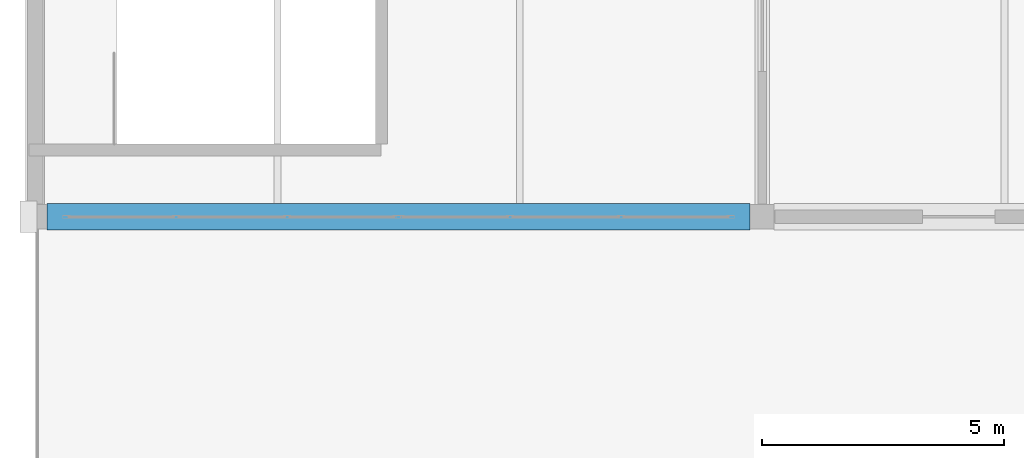
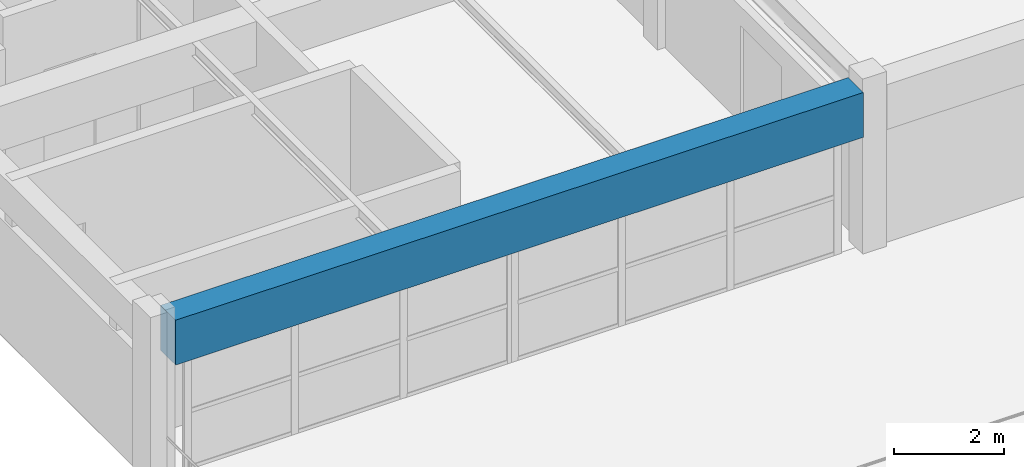
# One storey, part 3 of 82: 1 beam.
"""IFC4 building model written with IfcOpenShell, lengths in metres."""

from ifc_helpers import new_model, si_unit, direction, frame, origin, origin_2d, place, context, subcontext, project, spatial, rectangle, extrude, material, material_profile, profile_set, type_object, element, save


model = new_model("IFC4")

# Units and contexts
model_context = context("Model", 3, precision=1e-05, world=origin(), true_north=direction((0.0, 1.0)))
body_context = subcontext(model_context, "Body", "Model", "MODEL_VIEW")
ifc_project = project(units=[si_unit("LENGTHUNIT", "METRE"), si_unit("AREAUNIT", "SQUARE_METRE"), si_unit("VOLUMEUNIT", "CUBIC_METRE"), si_unit("PLANEANGLEUNIT", "RADIAN"), si_unit("MASSUNIT", "GRAM", prefix="KILO")], contexts=[model_context])

# Site, building, storey
site_placement = place(None, origin())
site = spatial("IfcSite", under=ifc_project, at=site_placement, CompositionType="ELEMENT")
building_placement = place(site_placement, origin())
building = spatial("IfcBuilding", under=site, at=building_placement, Name="Qasida Concert Hall", CompositionType="ELEMENT")
storey_placement = place(building_placement, frame((0.0, 0.0, 17.10009765625)))
storey = spatial("IfcBuildingStorey", under=building, at=storey_placement, Name="L04", CompositionType="ELEMENT", Elevation=17.10009765625)

# Beam
ifc_material = material(Name="Concrete C40/50", Category="concrete")
ifc_material_profile = material_profile(ifc_material, rectangle(XDim=0.550048828125, YDim=1.0, at=origin_2d()), Name="RC 550x1000")
ifc_profile_set = profile_set([ifc_material_profile], Name="Concrete C40/50")
beam_type = type_object("IfcBeamType", Name="BM-G3", PredefinedType="USERDEFINED", material=ifc_profile_set)
beam_placement = place(storey_placement, frame((0.25, 22.5, 3.119873046875), z_axis=(1.0, 0.0, 0.0), x_axis=(0.0, 1.0, 0.0)))
element("IfcBeam", 1, at=beam_placement, inside=storey, type_object=beam_type, Name="Primary girder 1893", ObjectType="GIRDER", PredefinedType="USERDEFINED", context=body_context, shape_type="SweptSolid", body=[
    extrude(rectangle(XDim=0.550048828125, YDim=1.0, at=origin_2d()), origin(), (0.0, 0.0, 1.0), 14.5),
])

save(model, "model.ifc")
